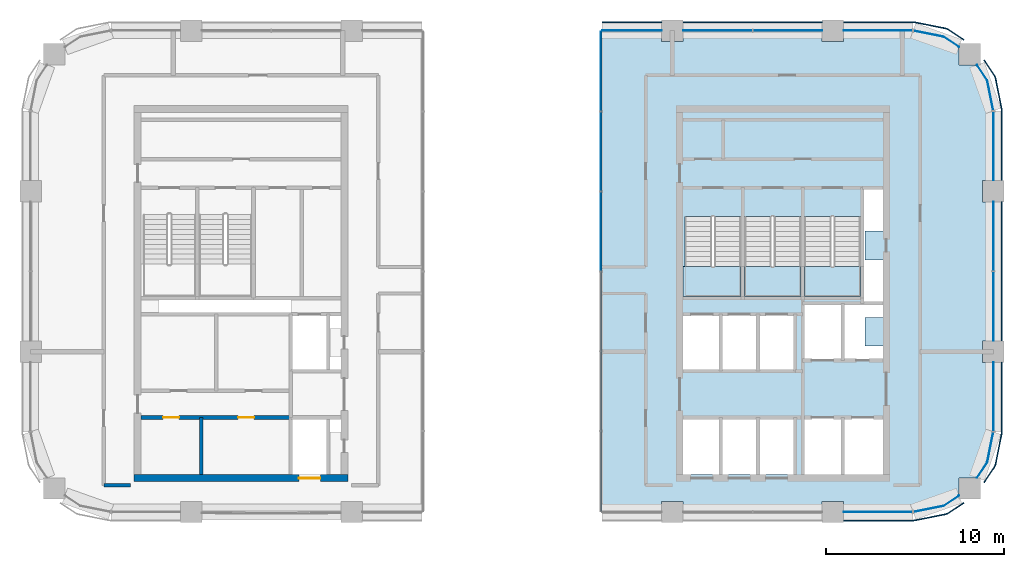
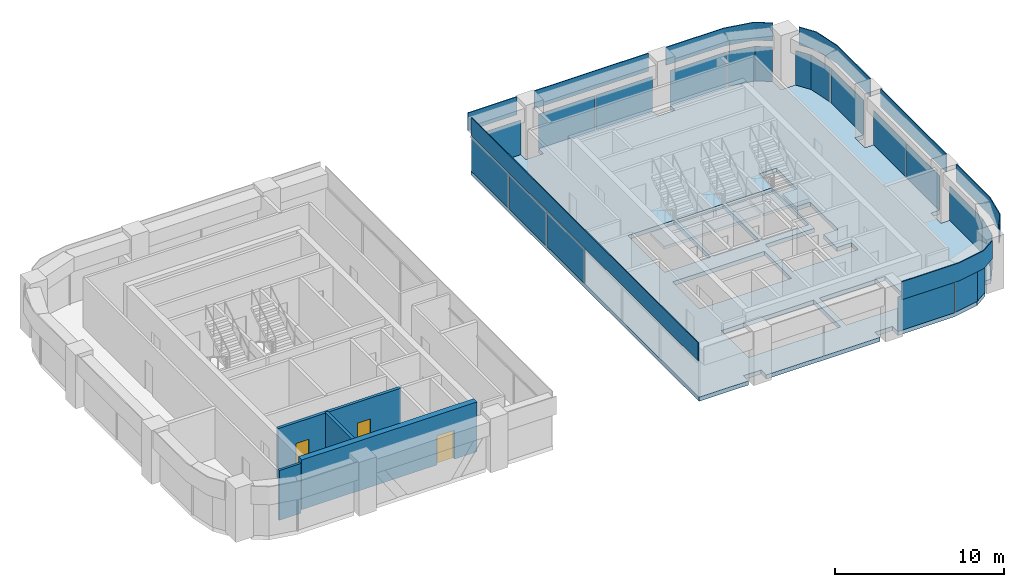
# One storey, part 5 of 11: 24 plates, 4 slabs, 4 walls, 3 doors, 3 openings, 11 elements without a shape of their own.
"""IFC4 building model written with IfcOpenShell, lengths in metres."""

from ifc_helpers import new_model, si_unit, direction, frame, frame_2d, origin, origin_2d, place, context, subcontext, project, spatial, polyline, rectangle, outline, extrude, material, layer, layer_set, type_object, element, fill, aggregate, save


model = new_model("IFC4")

# Units and contexts
model_context = context("Model", 3, precision=1e-05, world=origin(), true_north=direction((0.0, 1.0)))
body_context = subcontext(model_context, "Body", "Model", "MODEL_VIEW")
ifc_project = project(units=[si_unit("LENGTHUNIT", "METRE"), si_unit("AREAUNIT", "SQUARE_METRE"), si_unit("VOLUMEUNIT", "CUBIC_METRE"), si_unit("PLANEANGLEUNIT", "RADIAN"), si_unit("MASSUNIT", "GRAM", prefix="KILO")], contexts=[model_context])

# Site, building, storey
site_placement = place(None, origin())
site = spatial("IfcSite", under=ifc_project, at=site_placement, CompositionType="ELEMENT")
building_placement = place(site_placement, origin())
building = spatial("IfcBuilding", under=site, at=building_placement, Name="Tessera Arch", CompositionType="ELEMENT")
storey_placement = place(building_placement, frame((0.0, 0.0, 211.10009765625)))
storey = spatial("IfcBuildingStorey", under=building, at=storey_placement, Name="L50", CompositionType="ELEMENT", Elevation=211.10009765625)

# Curtain wall, plates
ifc_material_1 = material(Name="CW1 curtain wall")
curtain_wall_type_1 = type_object("IfcCurtainWallType", Name="CW1 curtain wall", PredefinedType="NOTDEFINED", material=ifc_material_1)
curtain_wall_1_placement = place(storey_placement, origin())
curtain_wall_1 = element("IfcCurtainWall", 1, at=curtain_wall_1_placement, inside=storey, type_object=curtain_wall_type_1, Name="CW1 curtain wall E54.27/1 L50", PredefinedType="NOTDEFINED")
ifc_material_2 = material(Name="Clear low-e glass", Category="glass")
ifc_material_3 = material(Name="Clear low-e glass", Category="glass")
ifc_layer_1 = layer(ifc_material_3, 0.028076171875)
ifc_layer_set_1 = layer_set([ifc_layer_1], Name="CW1 glass panel")
plate_type_1 = type_object("IfcPlateType", Name="CW1 glass panel", PredefinedType="CURTAIN_PANEL", material=ifc_layer_set_1)
plate_1_placement = place(storey_placement, frame((54.0, 38.534912109375, 0.0), z_axis=(0.0, 0.0, 1.0), x_axis=(0.0, 1.0, 0.0)))
plate_1 = element("IfcPlate", 2, at=plate_1_placement, type_object=plate_type_1, material=ifc_material_2, Name="CW1 glass panel E54.27/1 1.1.1", PredefinedType="CURTAIN_PANEL", context=body_context, shape_type="SweptSolid", body=[
    extrude(rectangle(XDim=3.8701171875, YDim=0.028076171875, at=origin_2d()), origin(), (0.0, 0.0, 1.0), 2.5),
])
plate_2_placement = place(storey_placement, frame((54.0, 42.465087890625, 0.0), z_axis=(0.0, 0.0, 1.0), x_axis=(0.0, 1.0, 0.0)))
plate_2 = element("IfcPlate", 3, at=plate_2_placement, type_object=plate_type_1, material=ifc_material_2, Name="CW1 glass panel E54.27/1 1.2.1", PredefinedType="CURTAIN_PANEL", context=body_context, shape_type="SweptSolid", body=[
    extrude(rectangle(XDim=3.8701171875, YDim=0.028076171875, at=origin_2d()), origin(), (0.0, 0.0, 1.0), 2.5),
])

curtain_wall_2_placement = place(storey_placement, origin())
curtain_wall_2 = element("IfcCurtainWall", 4, at=curtain_wall_2_placement, inside=storey, type_object=curtain_wall_type_1, Name="CW1 curtain wall N54.32/1 L50", PredefinedType="NOTDEFINED")
plate_3_placement = place(storey_placement, frame((42.465087890625, 54.0, 0.0), z_axis=(0.0, 0.0, 1.0), x_axis=(-1.0, 0.0, 0.0)))
plate_3 = element("IfcPlate", 5, at=plate_3_placement, type_object=plate_type_1, material=ifc_material_2, Name="CW1 glass panel N54.32/1 1.1.1", PredefinedType="CURTAIN_PANEL", context=body_context, shape_type="SweptSolid", body=[
    extrude(rectangle(XDim=3.8701171875, YDim=0.028076171875, at=origin_2d()), origin(), (0.0, 0.0, 1.0), 2.5),
])
plate_4_placement = place(storey_placement, frame((38.534912109375, 54.0, 0.0), z_axis=(0.0, 0.0, 1.0), x_axis=(-1.0, 0.0, 0.0)))
plate_4 = element("IfcPlate", 6, at=plate_4_placement, type_object=plate_type_1, material=ifc_material_2, Name="CW1 glass panel N54.32/1 1.2.1", PredefinedType="CURTAIN_PANEL", context=body_context, shape_type="SweptSolid", body=[
    extrude(rectangle(XDim=3.8701171875, YDim=0.028076171875, at=origin_2d()), origin(), (0.0, 0.0, 1.0), 2.5),
])

# Curtain wall, plate
curtain_wall_3_placement = place(storey_placement, origin())
curtain_wall_3 = element("IfcCurtainWall", 7, at=curtain_wall_3_placement, inside=storey, type_object=curtain_wall_type_1, Name="CW1 curtain wall N54.32/2 L50", PredefinedType="NOTDEFINED")
plate_5_placement = place(storey_placement, frame((33.72509765625, 54.0, 0.0), z_axis=(0.0, 0.0, 1.0), x_axis=(-1.0, 0.0, 0.0)))
plate_5 = element("IfcPlate", 8, at=plate_5_placement, type_object=plate_type_1, material=ifc_material_2, Name="CW1 glass panel N54.32/2 1.1.1", PredefinedType="CURTAIN_PANEL", context=body_context, shape_type="SweptSolid", body=[
    extrude(rectangle(XDim=3.35009765625, YDim=0.028076171875, at=origin_2d()), origin(), (0.0, 0.0, 1.0), 2.5),
])

# Plate
ifc_material_4 = material(Name="Pale anodised aluminium panel", Category="aluminium")
ifc_layer_2 = layer(ifc_material_4, 0.06005859375)
ifc_layer_set_2 = layer_set([ifc_layer_2], Name="CW1 spandrel panel")
plate_type_2 = type_object("IfcPlateType", Name="CW1 spandrel panel", PredefinedType="CURTAIN_PANEL", material=ifc_layer_set_2)
plate_6_placement = place(storey_placement, frame((54.47998046875, 40.5, 2.60009765625), z_axis=(0.0, 0.0, 1.0), x_axis=(0.0, 1.0, 0.0)))
plate_6 = element("IfcPlate", 9, at=plate_6_placement, type_object=plate_type_2, Name="CW1 spandrel panel E54.27/1", PredefinedType="CURTAIN_PANEL", context=body_context, shape_type="SweptSolid", body=[
    extrude(rectangle(XDim=7.800048828125, YDim=0.06005859375, at=origin_2d()), origin(), (0.0, 0.0, 1.0), 1.300048828125),
])

aggregate(curtain_wall_1, [plate_1, plate_2, plate_6])

plate_7_placement = place(storey_placement, frame((40.5, 54.47998046875, 2.60009765625), z_axis=(0.0, 0.0, 1.0), x_axis=(-1.0, 0.0, 0.0)))
plate_7 = element("IfcPlate", 10, at=plate_7_placement, type_object=plate_type_2, Name="CW1 spandrel panel N54.32/1", PredefinedType="CURTAIN_PANEL", context=body_context, shape_type="SweptSolid", body=[
    extrude(rectangle(XDim=7.800048828125, YDim=0.06005859375, at=origin_2d()), origin(), (0.0, 0.0, 1.0), 1.300048828125),
])

aggregate(curtain_wall_2, [plate_3, plate_4, plate_7])

plate_8_placement = place(storey_placement, frame((33.72509765625, 54.47998046875, 2.60009765625), z_axis=(0.0, 0.0, 1.0), x_axis=(-1.0, 0.0, 0.0)))
plate_8 = element("IfcPlate", 11, at=plate_8_placement, type_object=plate_type_2, Name="CW1 spandrel panel N54.32/2", PredefinedType="CURTAIN_PANEL", context=body_context, shape_type="SweptSolid", body=[
    extrude(rectangle(XDim=3.35009765625, YDim=0.06005859375, at=origin_2d()), origin(), (0.0, 0.0, 1.0), 1.300048828125),
])

aggregate(curtain_wall_3, [plate_5, plate_8])

# Curtain wall, plates
ifc_material_5 = material(Name="CW2 curtain wall")
curtain_wall_type_2 = type_object("IfcCurtainWallType", Name="CW2 curtain wall", PredefinedType="NOTDEFINED", material=ifc_material_5)
curtain_wall_4_placement = place(storey_placement, origin())
curtain_wall_4 = element("IfcCurtainWall", 12, at=curtain_wall_4_placement, inside=storey, type_object=curtain_wall_type_2, Name="CW2 curtain wall S27.32/2 L50", PredefinedType="NOTDEFINED")
ifc_material_6 = material(Name="Clear low-e glass", Category="glass")
ifc_layer_3 = layer(ifc_material_6, 0.028076171875)
ifc_layer_set_3 = layer_set([ifc_layer_3], Name="CW2 glass panel")
plate_type_3 = type_object("IfcPlateType", Name="CW2 glass panel", PredefinedType="CURTAIN_PANEL", material=ifc_layer_set_3)
plate_9_placement = place(storey_placement, frame((47.530029296875, 27.0, 0.0), z_axis=(0.0, 0.0, 1.0), x_axis=(1.0, 0.0, 0.0)))
plate_9 = element("IfcPlate", 13, at=plate_9_placement, type_object=plate_type_3, material=ifc_material_2, Name="CW2 glass panel S27.32/2 1.1", PredefinedType="CURTAIN_PANEL", context=body_context, shape_type="SweptSolid", body=[
    extrude(rectangle(XDim=3.860107421875, YDim=0.028076171875, at=origin_2d()), origin(), (0.0, 0.0, 1.0), 2.5),
])
plate_10_placement = place(storey_placement, origin())
plate_10 = element("IfcPlate", 14, at=plate_10_placement, type_object=plate_type_3, material=ifc_material_2, Name="CW2 curved glass panel S27.32/2 2.1", PredefinedType="CURTAIN_PANEL", context=body_context, shape_type="SweptSolid", body=[
    extrude(outline(polyline([(51.216552734375, 27.355712890625), (49.53662109375, 27.021484375), (49.5419921875, 26.994140625), (51.2275390625, 27.329345703125), (52.08984375, 27.905517578125), (52.07421875, 27.9287109375), (51.216552734375, 27.355712890625)])), origin(), (0.0, 0.0, 1.0), 2.5),
])

curtain_wall_5_placement = place(storey_placement, origin())
curtain_wall_5 = element("IfcCurtainWall", 15, at=curtain_wall_5_placement, inside=storey, type_object=curtain_wall_type_2, Name="CW2 curtain wall E54.27/0 L50", PredefinedType="NOTDEFINED")
plate_11_placement = place(storey_placement, frame((54.0, 33.469970703125, 0.0), z_axis=(0.0, 0.0, 1.0), x_axis=(0.0, 1.0, 0.0)))
plate_11 = element("IfcPlate", 16, at=plate_11_placement, type_object=plate_type_3, material=ifc_material_2, Name="CW2 glass panel E54.27/0 1.1", PredefinedType="CURTAIN_PANEL", context=body_context, shape_type="SweptSolid", body=[
    extrude(rectangle(XDim=3.860107421875, YDim=0.028076171875, at=origin_2d()), origin(), (0.0, 0.0, 1.0), 2.5),
])
plate_12_placement = place(storey_placement, origin())
plate_12 = element("IfcPlate", 17, at=plate_12_placement, type_object=plate_type_3, material=ifc_material_2, Name="CW2 curved glass panel E54.27/0 2.1", PredefinedType="CURTAIN_PANEL", context=body_context, shape_type="SweptSolid", body=[
    extrude(outline(polyline([(53.644287109375, 29.783447265625), (53.0712890625, 28.92578125), (53.094482421875, 28.91015625), (53.670654296875, 29.7724609375), (54.005859375, 31.4580078125), (53.978515625, 31.46337890625), (53.644287109375, 29.783447265625)])), origin(), (0.0, 0.0, 1.0), 2.5),
])

curtain_wall_6_placement = place(storey_placement, origin())
curtain_wall_6 = element("IfcCurtainWall", 18, at=curtain_wall_6_placement, inside=storey, type_object=curtain_wall_type_2, Name="CW2 curtain wall E54.27/2 L50", PredefinedType="NOTDEFINED")
plate_13_placement = place(storey_placement, frame((54.0, 47.530029296875, 0.0), z_axis=(0.0, 0.0, 1.0), x_axis=(0.0, 1.0, 0.0)))
plate_13 = element("IfcPlate", 19, at=plate_13_placement, type_object=plate_type_3, material=ifc_material_2, Name="CW2 glass panel E54.27/2 1.1", PredefinedType="CURTAIN_PANEL", context=body_context, shape_type="SweptSolid", body=[
    extrude(rectangle(XDim=3.860107421875, YDim=0.028076171875, at=origin_2d()), origin(), (0.0, 0.0, 1.0), 2.5),
])
plate_14_placement = place(storey_placement, origin())
plate_14 = element("IfcPlate", 20, at=plate_14_placement, type_object=plate_type_3, material=ifc_material_2, Name="CW2 curved glass panel E54.27/2 2.1", PredefinedType="CURTAIN_PANEL", context=body_context, shape_type="SweptSolid", body=[
    extrude(outline(polyline([(53.644287109375, 51.216552734375), (53.978515625, 49.53662109375), (54.005859375, 49.5419921875), (53.670654296875, 51.2275390625), (53.094482421875, 52.08984375), (53.0712890625, 52.07421875), (53.644287109375, 51.216552734375)])), origin(), (0.0, 0.0, 1.0), 2.5),
])

curtain_wall_7_placement = place(storey_placement, origin())
curtain_wall_7 = element("IfcCurtainWall", 21, at=curtain_wall_7_placement, inside=storey, type_object=curtain_wall_type_2, Name="CW2 curtain wall N54.32/0 L50", PredefinedType="NOTDEFINED")
plate_15_placement = place(storey_placement, frame((47.530029296875, 54.0, 0.0), z_axis=(0.0, 0.0, 1.0), x_axis=(-1.0, 0.0, 0.0)))
plate_15 = element("IfcPlate", 22, at=plate_15_placement, type_object=plate_type_3, material=ifc_material_2, Name="CW2 glass panel N54.32/0 1.1", PredefinedType="CURTAIN_PANEL", context=body_context, shape_type="SweptSolid", body=[
    extrude(rectangle(XDim=3.860107421875, YDim=0.028076171875, at=origin_2d()), origin(), (0.0, 0.0, 1.0), 2.5),
])
plate_16_placement = place(storey_placement, origin())
plate_16 = element("IfcPlate", 23, at=plate_16_placement, type_object=plate_type_3, material=ifc_material_2, Name="CW2 curved glass panel N54.32/0 2.1", PredefinedType="CURTAIN_PANEL", context=body_context, shape_type="SweptSolid", body=[
    extrude(outline(polyline([(51.216552734375, 53.644287109375), (52.07421875, 53.0712890625), (52.08984375, 53.094482421875), (51.2275390625, 53.670654296875), (49.5419921875, 54.005859375), (49.53662109375, 53.978515625), (51.216552734375, 53.644287109375)])), origin(), (0.0, 0.0, 1.0), 2.5),
])

# Plate
ifc_material_7 = material(Name="Pale anodised aluminium panel", Category="aluminium")
ifc_layer_4 = layer(ifc_material_7, 0.06005859375)
ifc_layer_set_4 = layer_set([ifc_layer_4], Name="CW2 spandrel panel")
plate_type_4 = type_object("IfcPlateType", Name="CW2 spandrel panel", PredefinedType="CURTAIN_PANEL", material=ifc_layer_set_4)
plate_17_placement = place(storey_placement, frame((0.0, 0.0, 2.599853515625)))
plate_17 = element("IfcPlate", 24, at=plate_17_placement, type_object=plate_type_4, Name="CW2 spandrel panel S27.32/2", PredefinedType="CURTAIN_PANEL", context=body_context, shape_type="SweptSolid", body=[
    extrude(outline(polyline([(49.499267578125, 26.550048828125), (45.60009765625, 26.550048828125), (45.60009765625, 26.489990234375), (49.500732421875, 26.489990234375), (49.550048828125, 26.492431640625), (49.598876953125, 26.499755859375), (51.322265625, 26.842529296875), (51.3701171875, 26.8544921875), (51.417236328125, 26.871337890625), (51.462646484375, 26.892578125), (51.5048828125, 26.91796875), (52.365234375, 27.4931640625), (52.33203125, 27.54296875), (51.47265625, 26.96875), (51.434326171875, 26.945556640625), (51.394287109375, 26.9267578125), (51.352783203125, 26.911865234375), (51.30908203125, 26.90087890625), (49.588623046875, 26.558837890625), (49.544189453125, 26.55224609375), (49.499267578125, 26.550048828125)])), origin(), (0.0, 0.0, 1.0), 1.300048828125),
])

aggregate(curtain_wall_4, [plate_9, plate_10, plate_17])

plate_18_placement = place(storey_placement, frame((0.0, 0.0, 2.599853515625)))
plate_18 = element("IfcPlate", 25, at=plate_18_placement, type_object=plate_type_4, Name="CW2 spandrel panel E54.27/0", PredefinedType="CURTAIN_PANEL", context=body_context, shape_type="SweptSolid", body=[
    extrude(outline(polyline([(54.03125, 29.52734375), (53.45703125, 28.66796875), (53.5068359375, 28.634765625), (54.08203125, 29.4951171875), (54.107421875, 29.537353515625), (54.128662109375, 29.582763671875), (54.1455078125, 29.6298828125), (54.157470703125, 29.677734375), (54.500244140625, 31.401123046875), (54.507568359375, 31.449951171875), (54.510009765625, 31.499267578125), (54.510009765625, 35.39990234375), (54.449951171875, 35.39990234375), (54.449951171875, 31.500732421875), (54.44775390625, 31.455810546875), (54.441162109375, 31.411376953125), (54.09912109375, 29.69091796875), (54.088134765625, 29.647216796875), (54.0732421875, 29.605712890625), (54.054443359375, 29.565673828125), (54.03125, 29.52734375)])), origin(), (0.0, 0.0, 1.0), 1.300048828125),
])

aggregate(curtain_wall_5, [plate_11, plate_12, plate_18])

plate_19_placement = place(storey_placement, frame((0.0, 0.0, 2.599853515625)))
plate_19 = element("IfcPlate", 26, at=plate_19_placement, type_object=plate_type_4, Name="CW2 spandrel panel E54.27/2", PredefinedType="CURTAIN_PANEL", context=body_context, shape_type="SweptSolid", body=[
    extrude(outline(polyline([(54.449951171875, 49.499267578125), (54.449951171875, 45.60009765625), (54.510009765625, 45.60009765625), (54.510009765625, 49.500732421875), (54.507568359375, 49.550048828125), (54.500244140625, 49.598876953125), (54.157470703125, 51.322265625), (54.1455078125, 51.3701171875), (54.128662109375, 51.417236328125), (54.107421875, 51.462646484375), (54.08203125, 51.5048828125), (53.5068359375, 52.365234375), (53.45703125, 52.33203125), (54.03125, 51.47265625), (54.054443359375, 51.434326171875), (54.0732421875, 51.394287109375), (54.088134765625, 51.352783203125), (54.09912109375, 51.30908203125), (54.441162109375, 49.588623046875), (54.44775390625, 49.544189453125), (54.449951171875, 49.499267578125)])), origin(), (0.0, 0.0, 1.0), 1.300048828125),
])

aggregate(curtain_wall_6, [plate_13, plate_14, plate_19])

plate_20_placement = place(storey_placement, frame((0.0, 0.0, 2.599853515625)))
plate_20 = element("IfcPlate", 27, at=plate_20_placement, type_object=plate_type_4, Name="CW2 spandrel panel N54.32/0", PredefinedType="CURTAIN_PANEL", context=body_context, shape_type="SweptSolid", body=[
    extrude(outline(polyline([(51.47265625, 54.03125), (52.33203125, 53.45703125), (52.365234375, 53.5068359375), (51.5048828125, 54.08203125), (51.462646484375, 54.107421875), (51.417236328125, 54.128662109375), (51.3701171875, 54.1455078125), (51.322265625, 54.157470703125), (49.598876953125, 54.500244140625), (49.550048828125, 54.507568359375), (49.500732421875, 54.510009765625), (45.60009765625, 54.510009765625), (45.60009765625, 54.449951171875), (49.499267578125, 54.449951171875), (49.544189453125, 54.44775390625), (49.588623046875, 54.441162109375), (51.30908203125, 54.09912109375), (51.352783203125, 54.088134765625), (51.394287109375, 54.0732421875), (51.434326171875, 54.054443359375), (51.47265625, 54.03125)])), origin(), (0.0, 0.0, 1.0), 1.300048828125),
])

aggregate(curtain_wall_7, [plate_15, plate_16, plate_20])

# Curtain wall, plates
ifc_material_8 = material(Name="CW5 curtain wall")
curtain_wall_type_3 = type_object("IfcCurtainWallType", Name="CW5 curtain wall", PredefinedType="NOTDEFINED", material=ifc_material_8)
curtain_wall_8_placement = place(storey_placement, origin())
curtain_wall_8 = element("IfcCurtainWall", 28, at=curtain_wall_8_placement, inside=storey, type_object=curtain_wall_type_3, Name="CW5 curtain wall W32.27/0 L50", PredefinedType="NOTDEFINED")
ifc_material_9 = material(Name="Clear low-e glass", Category="glass")
ifc_layer_5 = layer(ifc_material_9, 0.028076171875)
ifc_layer_set_5 = layer_set([ifc_layer_5], Name="CW5 glass panel")
plate_type_5 = type_object("IfcPlateType", Name="CW5 glass panel", PredefinedType="CURTAIN_PANEL", material=ifc_layer_set_5)
plate_21_placement = place(storey_placement, frame((32.0, 51.728271484375, 0.0), z_axis=(0.0, 0.0, 1.0), x_axis=(0.0, -1.0, 0.0)))
plate_21 = element("IfcPlate", 29, at=plate_21_placement, type_object=plate_type_5, material=ifc_material_2, Name="CW5 glass panel W32.27/0 1.1.1", PredefinedType="CURTAIN_PANEL", context=body_context, shape_type="SweptSolid", body=[
    extrude(rectangle(XDim=4.443359375, YDim=0.028076171875, at=origin_2d()), origin(), (0.0, 0.0, 1.0), 2.5),
])
plate_22_placement = place(storey_placement, frame((32.0, 47.22509765625, 0.0), z_axis=(0.0, 0.0, 1.0), x_axis=(0.0, -1.0, 0.0)))
plate_22 = element("IfcPlate", 30, at=plate_22_placement, type_object=plate_type_5, material=ifc_material_2, Name="CW5 glass panel W32.27/0 1.2.1", PredefinedType="CURTAIN_PANEL", context=body_context, shape_type="SweptSolid", body=[
    extrude(rectangle(XDim=4.4033203125, YDim=0.028076171875, at=origin_2d()), origin(), (0.0, 0.0, 1.0), 2.5),
])
plate_23_placement = place(storey_placement, frame((32.0, 42.74169921875, 0.0), z_axis=(0.0, 0.0, 1.0), x_axis=(0.0, -1.0, 0.0)))
plate_23 = element("IfcPlate", 31, at=plate_23_placement, type_object=plate_type_5, material=ifc_material_2, Name="CW5 glass panel W32.27/0 1.3.1", PredefinedType="CURTAIN_PANEL", context=body_context, shape_type="SweptSolid", body=[
    extrude(rectangle(XDim=4.4033203125, YDim=0.028076171875, at=origin_2d()), origin(), (0.0, 0.0, 1.0), 2.5),
])
ifc_material_10 = material(Name="Pale anodised aluminium panel", Category="aluminium")
ifc_layer_6 = layer(ifc_material_10, 0.06005859375)
ifc_layer_set_6 = layer_set([ifc_layer_6], Name="CW5 spandrel panel")
plate_type_6 = type_object("IfcPlateType", Name="CW5 spandrel panel", PredefinedType="CURTAIN_PANEL", material=ifc_layer_set_6)
plate_24_placement = place(storey_placement, frame((32.0, 40.5, 2.60009765625), z_axis=(0.0, 0.0, 1.0), x_axis=(0.0, -1.0, 0.0)))
plate_24 = element("IfcPlate", 32, at=plate_24_placement, type_object=plate_type_6, Name="CW5 spandrel panel W32.27/0", PredefinedType="CURTAIN_PANEL", context=body_context, shape_type="SweptSolid", body=[
    extrude(rectangle(XDim=26.89990234375, YDim=0.06005859375, at=origin_2d()), origin(), (0.0, 0.0, 1.0), 1.300048828125),
])
aggregate(curtain_wall_8, [plate_21, plate_22, plate_23, plate_24])

# Slab
ifc_material_11 = material(Name="Concrete C40/50", Category="concrete")
ifc_layer_7 = layer(ifc_material_11, 0.300048828125)
ifc_layer_set_7 = layer_set([ifc_layer_7], Name="Floor slab 300 Concrete C40/50")
slab_type_1 = type_object("IfcSlabType", Name="Floor slab 300 Concrete C40/50", PredefinedType="FLOOR", material=ifc_layer_set_7)
slab_1_placement = place(storey_placement, frame((0.0, 0.0, -0.300048828125)))
element("IfcSlab", 33, at=slab_1_placement, inside=storey, type_object=slab_type_1, Name="Floor slab L50 2", PredefinedType="FLOOR", context=body_context, shape_type="SweptSolid", body=[
    extrude(outline(polyline([(51.22216796875, 53.657470703125), (52.08203125, 53.0830078125), (52.08203125, 52.08203125), (53.0830078125, 52.08203125), (53.657470703125, 51.22216796875), (54.0, 49.5), (54.0, 45.60009765625), (53.39990234375, 45.60009765625), (53.39990234375, 44.39990234375), (54.0, 44.39990234375), (54.0, 36.60009765625), (53.39990234375, 36.60009765625), (53.39990234375, 35.39990234375), (54.0, 35.39990234375), (54.0, 31.5), (53.657470703125, 29.77783203125), (53.0830078125, 28.91796875), (52.08203125, 28.91796875), (52.08203125, 27.9169921875), (51.22216796875, 27.342529296875), (49.5, 27.0), (45.60009765625, 27.0), (45.60009765625, 27.60009765625), (44.39990234375, 27.60009765625), (44.39990234375, 27.0), (36.60009765625, 27.0), (36.60009765625, 27.60009765625), (35.39990234375, 27.60009765625), (35.39990234375, 27.0), (32.0, 27.0), (32.0, 54.0), (35.39990234375, 54.0), (35.39990234375, 53.39990234375), (36.60009765625, 53.39990234375), (36.60009765625, 54.0), (44.39990234375, 54.0), (44.39990234375, 53.39990234375), (45.60009765625, 53.39990234375), (45.60009765625, 54.0), (49.5, 54.0), (51.22216796875, 53.657470703125)]), holes=[polyline([(36.60009765625, 29.10009765625), (38.699951171875, 29.10009765625), (40.800048828125, 29.10009765625), (42.89990234375, 29.10009765625), (42.89990234375, 32.300048828125), (40.800048828125, 32.300048828125), (38.699951171875, 32.300048828125), (36.60009765625, 32.300048828125), (36.60009765625, 29.10009765625)]), polyline([(47.800048828125, 32.300048828125), (45.550048828125, 32.300048828125), (43.300048828125, 32.300048828125), (43.300048828125, 29.10009765625), (45.550048828125, 29.10009765625), (47.800048828125, 29.10009765625), (47.800048828125, 32.300048828125)]), polyline([(42.89990234375, 34.89990234375), (42.89990234375, 38.10009765625), (40.800048828125, 38.10009765625), (38.699951171875, 38.10009765625), (36.60009765625, 38.10009765625), (36.60009765625, 34.89990234375), (38.699951171875, 34.89990234375), (40.800048828125, 34.89990234375), (42.89990234375, 34.89990234375)]), polyline([(47.800048828125, 41.14990234375), (46.800048828125, 41.14990234375), (46.800048828125, 42.75), (47.800048828125, 42.75), (47.800048828125, 45.199951171875), (46.64990234375, 45.199951171875), (46.64990234375, 38.699951171875), (45.550048828125, 38.699951171875), (43.300048828125, 38.699951171875), (43.300048828125, 35.5), (45.550048828125, 35.5), (47.800048828125, 35.5), (47.800048828125, 36.300048828125), (46.800048828125, 36.300048828125), (46.800048828125, 37.89990234375), (47.800048828125, 37.89990234375), (47.800048828125, 38.699951171875), (47.800048828125, 41.14990234375)]), polyline([(36.699951171875, 43.570068359375), (36.699951171875, 39.199951171875), (39.85009765625, 39.199951171875), (39.85009765625, 43.570068359375), (38.330078125, 43.570068359375), (38.330078125, 43.580078125), (38.219970703125, 43.580078125), (38.219970703125, 43.570068359375), (36.699951171875, 43.570068359375)]), polyline([(40.050048828125, 39.199951171875), (43.199951171875, 39.199951171875), (43.199951171875, 43.570068359375), (41.679931640625, 43.570068359375), (41.679931640625, 43.580078125), (41.570068359375, 43.580078125), (41.570068359375, 43.570068359375), (40.050048828125, 43.570068359375), (40.050048828125, 39.199951171875)]), polyline([(43.39990234375, 43.570068359375), (43.39990234375, 39.199951171875), (46.550048828125, 39.199951171875), (46.550048828125, 43.570068359375), (45.030029296875, 43.570068359375), (45.030029296875, 43.580078125), (44.919921875, 43.580078125), (44.919921875, 43.570068359375), (43.39990234375, 43.570068359375)])]), origin(), (0.0, 0.0, 1.0), 0.300048828125),
])

# Stair, slab
ifc_material_12 = material(Name="Concrete C40/50", Category="concrete")
stair_type = type_object("IfcStairType", Name="Dogleg stair 1520", PredefinedType="HALF_TURN_STAIR", material=ifc_material_12)
stair_1_placement = place(storey_placement, origin())
stair_1 = element("IfcStair", 34, at=stair_1_placement, inside=storey, type_object=stair_type, Name="L50 S1a", PredefinedType="HALF_TURN_STAIR")
ifc_material_13 = material(Name="Concrete C40/50", Category="concrete")
ifc_layer_8 = layer(ifc_material_13, 0.300048828125)
ifc_layer_set_8 = layer_set([ifc_layer_8], Name="Stair landing 300")
slab_type_2 = type_object("IfcSlabType", Name="Stair landing 300", PredefinedType="LANDING", material=ifc_layer_set_8)
slab_2_placement = place(storey_placement, frame((0.0, 0.0, 1.75)))
slab_2 = element("IfcSlab", 35, at=slab_2_placement, type_object=slab_type_2, Name="S1a landing 1", PredefinedType="LANDING", context=body_context, shape_type="SweptSolid", body=[
    extrude(outline(polyline([(36.60009765625, 40.780029296875), (36.60009765625, 39.10009765625), (39.85009765625, 39.10009765625), (39.85009765625, 40.780029296875), (36.60009765625, 40.780029296875)])), origin(), (0.0, 0.0, 1.0), 0.199951171875),
])
aggregate(stair_1, [slab_2])

stair_2_placement = place(storey_placement, origin())
stair_2 = element("IfcStair", 36, at=stair_2_placement, inside=storey, type_object=stair_type, Name="L50 S1b", PredefinedType="HALF_TURN_STAIR")
slab_3_placement = place(storey_placement, frame((0.0, 0.0, 1.75)))
slab_3 = element("IfcSlab", 37, at=slab_3_placement, type_object=slab_type_2, Name="S1b landing 1", PredefinedType="LANDING", context=body_context, shape_type="SweptSolid", body=[
    extrude(outline(polyline([(40.050048828125, 40.780029296875), (40.050048828125, 39.10009765625), (43.199951171875, 39.10009765625), (43.199951171875, 40.780029296875), (40.050048828125, 40.780029296875)])), origin(), (0.0, 0.0, 1.0), 0.199951171875),
])
aggregate(stair_2, [slab_3])

stair_3_placement = place(storey_placement, origin())
stair_3 = element("IfcStair", 38, at=stair_3_placement, inside=storey, type_object=stair_type, Name="L50 S1c", PredefinedType="HALF_TURN_STAIR")
slab_4_placement = place(storey_placement, frame((0.0, 0.0, 1.75)))
slab_4 = element("IfcSlab", 39, at=slab_4_placement, type_object=slab_type_2, Name="S1c landing 1", PredefinedType="LANDING", context=body_context, shape_type="SweptSolid", body=[
    extrude(outline(polyline([(43.39990234375, 40.780029296875), (43.39990234375, 39.10009765625), (46.550048828125, 39.10009765625), (46.550048828125, 40.780029296875), (43.39990234375, 40.780029296875)])), origin(), (0.0, 0.0, 1.0), 0.199951171875),
])
aggregate(stair_3, [slab_4])

# Wall
ifc_material_14 = material(Name="Gypsum board on steel stud", Category="steel")
ifc_layer_9 = layer(ifc_material_14, 0.125)
ifc_layer_set_9 = layer_set([ifc_layer_9], Name="Core partition 125 EI 60")
wall_type_1 = type_object("IfcWallType", Name="Core partition 125 EI 60", PredefinedType="PARTITIONING", material=ifc_layer_set_9)
wall_1_placement = place(storey_placement, frame((9.56005859375, 29.10009765625, 0.0), z_axis=(0.0, 0.0, 1.0), x_axis=(0.0, 1.0, 0.0)))
element("IfcWall", 40, at=wall_1_placement, inside=storey, type_object=wall_type_1, Name="L50 C2 partition wall 3", PredefinedType="PARTITIONING", context=body_context, shape_type="SweptSolid", body=[
    extrude(rectangle(XDim=3.199951171875, YDim=0.199951171875, at=frame_2d((1.60009765625, 0.0))), origin(), (0.0, 0.0, 1.0), 3.599853515625),
])

# Wall, openings, doors
wall_2_placement = place(storey_placement, frame((6.199951171875, 32.300048828125, 0.0), z_axis=(0.0, 0.0, 1.0), x_axis=(1.0, 0.0, 0.0)))
wall_2 = element("IfcWall", 41, at=wall_2_placement, inside=storey, type_object=wall_type_1, Name="L50 C2 partition wall 13", PredefinedType="PARTITIONING", context=body_context, shape_type="SweptSolid", body=[
    extrude(rectangle(XDim=8.400146484375, YDim=0.199951171875, at=frame_2d((4.2001953125, 0.0))), origin(), (0.0, 0.0, 1.0), 3.599853515625),
])
opening_1_placement = place(wall_2_placement, frame((1.22998046875, 0.0, 0.0)))
opening_1 = element("IfcOpeningElement", 42, at=opening_1_placement, cuts=wall_2, Name="Opening L50-C32", PredefinedType="OPENING", context=body_context, shape_type="SweptSolid", body=[
    extrude(rectangle(XDim=0.89990234375, YDim=2.10009765625, at=frame_2d((0.449951171875, 1.050048828125))), frame((0.0, 0.10986328125, 0.0), z_axis=(0.0, -1.0, 0.0), x_axis=(1.0, 0.0, 0.0)), (0.0, 0.0, 1.0), 0.219970703125),
])
opening_2_placement = place(wall_2_placement, frame((5.429931640625, 0.0, 0.0)))
opening_2 = element("IfcOpeningElement", 43, at=opening_2_placement, cuts=wall_2, Name="Opening L50-C33", PredefinedType="OPENING", context=body_context, shape_type="SweptSolid", body=[
    extrude(rectangle(XDim=0.89990234375, YDim=2.10009765625, at=frame_2d((0.449951171875, 1.050048828125))), frame((0.0, 0.10986328125, 0.0), z_axis=(0.0, -1.0, 0.0), x_axis=(1.0, 0.0, 0.0)), (0.0, 0.0, 1.0), 0.219970703125),
])
ifc_material_15 = material(Name="Steel door leaf", Category="steel")
door_type_1 = type_object("IfcDoorType", Name="Store door FD30S 900 x 2100", OperationType="SINGLE_SWING_LEFT", PredefinedType="DOOR", material=ifc_material_15)
door_1_placement = place(opening_1_placement, origin())
door_1 = element("IfcDoor", 44, at=door_1_placement, inside=storey, type_object=door_type_1, Name="L50 C2 door 13 C32 type D09", OperationType="SINGLE_SWING_LEFT", OverallHeight=2.10009765625, OverallWidth=0.89990234375, PredefinedType="DOOR", context=body_context, shape_type="SweptSolid", body=[
    extrude(rectangle(XDim=0.89990234375, YDim=2.10009765625, at=frame_2d((0.449951171875, 1.050048828125))), frame((0.0, 0.02490234375, 0.0), z_axis=(0.0, -1.0, 0.0), x_axis=(1.0, 0.0, 0.0)), (0.0, 0.0, 1.0), 0.050048828125),
])
fill(opening_1, door_1)
door_2_placement = place(opening_2_placement, origin())
door_2 = element("IfcDoor", 45, at=door_2_placement, inside=storey, type_object=door_type_1, Name="L50 C2 door 14 C33 type D09", OperationType="SINGLE_SWING_RIGHT", OverallHeight=2.10009765625, OverallWidth=0.89990234375, PredefinedType="DOOR", context=body_context, shape_type="SweptSolid", body=[
    extrude(rectangle(XDim=0.89990234375, YDim=2.10009765625, at=frame_2d((0.449951171875, 1.050048828125))), frame((0.0, 0.02490234375, 0.0), z_axis=(0.0, -1.0, 0.0), x_axis=(1.0, 0.0, 0.0)), (0.0, 0.0, 1.0), 0.050048828125),
])
fill(opening_2, door_2)

# Wall, opening, door
ifc_material_16 = material(Name="Concrete C50/60", Category="concrete")
ifc_layer_10 = layer(ifc_material_16, 0.39990234375)
ifc_layer_set_10 = layer_set([ifc_layer_10], Name="Core shell wall 400 C50-60")
wall_type_2 = type_object("IfcWallType", Name="Core shell wall 400 C50-60", PredefinedType="SHEAR", material=ifc_layer_set_10)
wall_3_placement = place(storey_placement, frame((5.800048828125, 28.89990234375, 0.0), z_axis=(0.0, 0.0, 1.0), x_axis=(1.0, 0.0, 0.0)))
wall_3 = element("IfcWall", 46, at=wall_3_placement, inside=storey, type_object=wall_type_2, Name="L50 C2 core wall S", PredefinedType="SHEAR", context=body_context, shape_type="SweptSolid", body=[
    extrude(rectangle(XDim=12.0, YDim=0.39990234375, at=frame_2d((6.0, 0.0))), origin(), (0.0, 0.0, 1.0), 3.599853515625),
])
opening_3_placement = place(wall_3_placement, frame((9.25, 0.0, 0.0)))
opening_3 = element("IfcOpeningElement", 47, at=opening_3_placement, cuts=wall_3, Name="Opening L50-C20", PredefinedType="OPENING", context=body_context, shape_type="SweptSolid", body=[
    extrude(rectangle(XDim=1.199951171875, YDim=2.10009765625, at=frame_2d((0.60009765625, 1.050048828125))), frame((0.0, 0.2099609375, 0.0), z_axis=(0.0, -1.0, 0.0), x_axis=(1.0, 0.0, 0.0)), (0.0, 0.0, 1.0), 0.419921875),
])
ifc_material_17 = material(Name="Stainless steel AISI 304", Category="steel")
door_type_2 = type_object("IfcDoorType", Name="Sliding landing door 1200 x 2100", OperationType="SLIDING_TO_LEFT", PredefinedType="DOOR", material=ifc_material_17)
door_3_placement = place(opening_3_placement, origin())
door_3 = element("IfcDoor", 48, at=door_3_placement, inside=storey, type_object=door_type_2, Name="L50 HR7 lift landing door C20 type LD", OperationType="SLIDING_TO_LEFT", OverallHeight=2.10009765625, OverallWidth=1.199951171875, PredefinedType="DOOR", context=body_context, shape_type="SweptSolid", body=[
    extrude(rectangle(XDim=1.199951171875, YDim=2.10009765625, at=frame_2d((0.60009765625, 1.050048828125))), frame((0.0, 0.02490234375, 0.0), z_axis=(0.0, -1.0, 0.0), x_axis=(1.0, 0.0, 0.0)), (0.0, 0.0, 1.0), 0.050048828125),
])
fill(opening_3, door_3)

# Wall
ifc_material_18 = material(Name="Gypsum board on deep steel stud with mineral wool", Category="steel")
ifc_layer_11 = layer(ifc_material_18, 0.175048828125)
ifc_layer_set_11 = layer_set([ifc_layer_11], Name="Corridor wall 175 EI 60")
wall_type_3 = type_object("IfcWallType", Name="Corridor wall 175 EI 60", PredefinedType="PARTITIONING", material=ifc_layer_set_11)
wall_4_placement = place(storey_placement, frame((4.10009765625, 28.5, 0.0), z_axis=(0.0, 0.0, 1.0), x_axis=(1.0, 0.0, 0.0)))
element("IfcWall", 49, at=wall_4_placement, inside=storey, type_object=wall_type_3, Name="L50 partition 1", PredefinedType="PARTITIONING", context=body_context, shape_type="SweptSolid", body=[
    extrude(rectangle(XDim=1.5, YDim=0.175048828125, at=frame_2d((0.75, 0.0))), origin(), (0.0, 0.0, 1.0), 3.599853515625),
])

save(model, "model.ifc")
